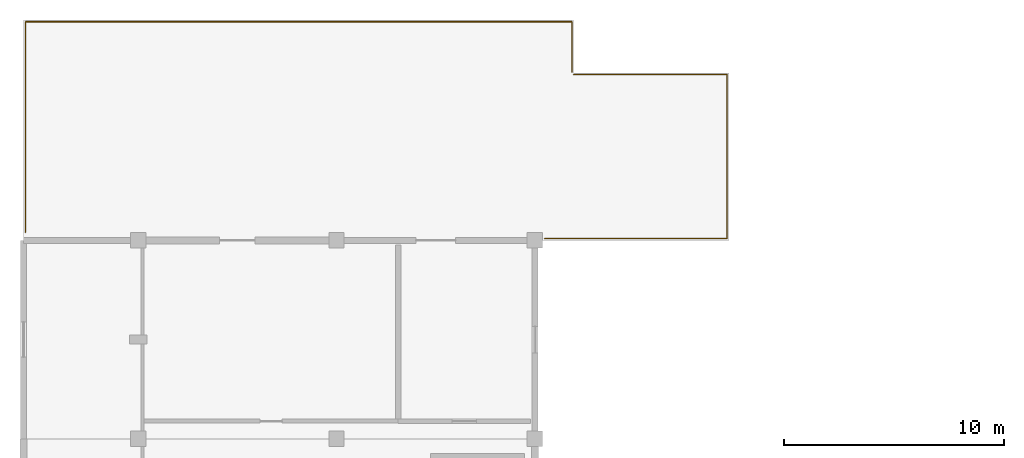
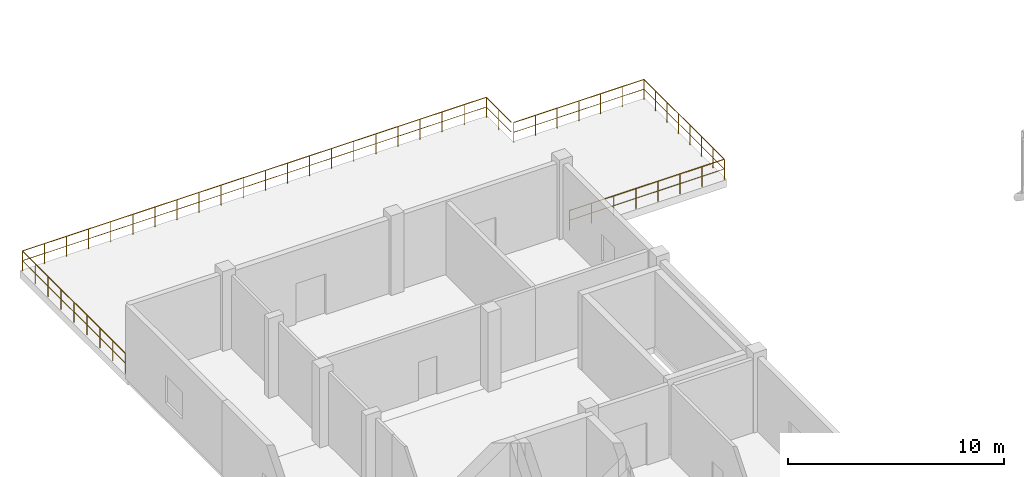
# One storey, part 29 of 29: 1 railing.
"""IFC4 building model written with IfcOpenShell, lengths in metres."""

from ifc_helpers import new_model, si_unit, direction, frame, origin, origin_2d, place, context, subcontext, project, spatial, circle, extrude, material, type_object, element, save


model = new_model("IFC4")

# Units and contexts
model_context = context("Model", 3, precision=1e-05, world=origin(), true_north=direction((0.0, 1.0)))
body_context = subcontext(model_context, "Body", "Model", "MODEL_VIEW")
ifc_project = project(units=[si_unit("LENGTHUNIT", "METRE"), si_unit("AREAUNIT", "SQUARE_METRE"), si_unit("VOLUMEUNIT", "CUBIC_METRE"), si_unit("PLANEANGLEUNIT", "RADIAN"), si_unit("MASSUNIT", "GRAM", prefix="KILO")], contexts=[model_context])

# Site, building, storey
site_placement = place(None, origin())
site = spatial("IfcSite", under=ifc_project, at=site_placement, CompositionType="ELEMENT")
building_placement = place(site_placement, origin())
building = spatial("IfcBuilding", under=site, at=building_placement, Name="Ventoquebrada Cableway Terminal", CompositionType="ELEMENT")
storey_placement = place(building_placement, frame((0.0, 0.0, 18.89990234375)))
storey = spatial("IfcBuildingStorey", under=building, at=storey_placement, Name="L04", CompositionType="ELEMENT", Elevation=18.89990234375)

# Railing
ifc_material = material(Name="Brushed stainless steel Grade 316", Category="steel")
railing_type = type_object("IfcRailingType", Name="RL-GD02", PredefinedType="BALUSTRADE", material=ifc_material)
railing_placement = place(storey_placement, frame((3.080078125, 104.360107421875, 0.0)))
element("IfcRailing", 1, at=railing_placement, inside=storey, type_object=railing_type, Name="Terrace balustrade GR-E139", PredefinedType="BALUSTRADE", context=body_context, shape_type="SweptSolid", body=[
    extrude(circle(Radius=0.02392578125, at=origin_2d()), frame((0.0, 0.001953125, 1.1259765625), z_axis=(0.0, 1.0, 0.0), x_axis=(-1.0, 0.0, 0.0)), (0.0, 0.0, 1.0), 9.555908203125),
    extrude(circle(Radius=0.01611328125, at=origin_2d()), frame((0.0, 0.001953125, 0.574951171875), z_axis=(0.0, 1.0, 0.0), x_axis=(-1.0, 0.0, 0.0)), (0.0, 0.0, 1.0), 9.555908203125),
    extrude(circle(Radius=0.02392578125, at=origin_2d()), frame((0.001953125, 9.559814453125, 1.1259765625), z_axis=(1.0, 0.0, 0.0), x_axis=(0.0, 1.0, 0.0)), (0.0, 0.0, 1.0), 24.7958984375),
    extrude(circle(Radius=0.01611328125, at=origin_2d()), frame((0.001953125, 9.559814453125, 0.574951171875), z_axis=(1.0, 0.0, 0.0), x_axis=(0.0, 1.0, 0.0)), (0.0, 0.0, 1.0), 24.7958984375),
    extrude(circle(Radius=0.02392578125, at=origin_2d()), frame((24.7998046875, 9.557861328125, 1.1259765625), z_axis=(0.0, -1.0, 0.0), x_axis=(1.0, 0.0, 0.0)), (0.0, 0.0, 1.0), 2.298095703125),
    extrude(circle(Radius=0.01611328125, at=origin_2d()), frame((24.7998046875, 9.557861328125, 0.574951171875), z_axis=(0.0, -1.0, 0.0), x_axis=(1.0, 0.0, 0.0)), (0.0, 0.0, 1.0), 2.298095703125),
    extrude(circle(Radius=0.02392578125, at=origin_2d()), frame((24.8818359375, 7.161865234375, 1.1259765625), z_axis=(0.999999960625, -0.000280622972, 0.0), x_axis=(0.000280622972, 0.999999960625, 0.0)), (0.0, 0.0, 1.0), 6.9560546875),
    extrude(circle(Radius=0.01611328125, at=origin_2d()), frame((24.8818359375, 7.161865234375, 0.574951171875), z_axis=(0.999999960625, -0.000280622972, 0.0), x_axis=(0.000280622972, 0.999999960625, 0.0)), (0.0, 0.0, 1.0), 6.9560546875),
    extrude(circle(Radius=0.02392578125, at=origin_2d()), frame((31.83984375, 7.157958984375, 1.1259765625), z_axis=(0.0, -1.0, 0.0), x_axis=(1.0, 0.0, 0.0)), (0.0, 0.0, 1.0), 7.43603515625),
    extrude(circle(Radius=0.01611328125, at=origin_2d()), frame((31.83984375, 7.157958984375, 0.574951171875), z_axis=(0.0, -1.0, 0.0), x_axis=(1.0, 0.0, 0.0)), (0.0, 0.0, 1.0), 7.43603515625),
    extrude(circle(Radius=0.02392578125, at=origin_2d()), frame((31.837890625, -0.280029296875, 1.1259765625), z_axis=(-1.0, 0.0, 0.0), x_axis=(0.0, -1.0, 0.0)), (0.0, 0.0, 1.0), 8.27294921875),
    extrude(circle(Radius=0.01611328125, at=origin_2d()), frame((31.837890625, -0.280029296875, 0.574951171875), z_axis=(-1.0, 0.0, 0.0), x_axis=(0.0, -1.0, 0.0)), (0.0, 0.0, 1.0), 8.27294921875),
    extrude(circle(Radius=0.02099609375, at=origin_2d()), origin(), (0.0, 0.0, 1.0), 1.101806640625),
    extrude(circle(Radius=0.02099609375, at=origin_2d()), frame((0.0, 1.195068359375, 0.0)), (0.0, 0.0, 1.0), 1.101806640625),
    extrude(circle(Radius=0.02099609375, at=origin_2d()), frame((0.0, 2.389892578125, 0.0)), (0.0, 0.0, 1.0), 1.101806640625),
    extrude(circle(Radius=0.02099609375, at=origin_2d()), frame((0.0, 3.5849609375, 0.0)), (0.0, 0.0, 1.0), 1.101806640625),
    extrude(circle(Radius=0.02099609375, at=origin_2d()), frame((0.0, 4.77978515625, 0.0)), (0.0, 0.0, 1.0), 1.101806640625),
    extrude(circle(Radius=0.02099609375, at=origin_2d()), frame((0.0, 5.974853515625, 0.0)), (0.0, 0.0, 1.0), 1.101806640625),
    extrude(circle(Radius=0.02099609375, at=origin_2d()), frame((0.0, 7.169921875, 0.0)), (0.0, 0.0, 1.0), 1.101806640625),
    extrude(circle(Radius=0.02099609375, at=origin_2d()), frame((0.0, 8.36474609375, 0.0)), (0.0, 0.0, 1.0), 1.101806640625),
    extrude(circle(Radius=0.02099609375, at=origin_2d()), frame((0.0, 9.559814453125, 0.0)), (0.0, 0.0, 1.0), 1.101806640625),
    extrude(circle(Radius=0.02099609375, at=origin_2d()), frame((1.180908203125, 9.559814453125, 0.0)), (0.0, 0.0, 1.0), 1.101806640625),
    extrude(circle(Radius=0.02099609375, at=origin_2d()), frame((2.36181640625, 9.559814453125, 0.0)), (0.0, 0.0, 1.0), 1.101806640625),
    extrude(circle(Radius=0.02099609375, at=origin_2d()), frame((3.542724609375, 9.559814453125, 0.0)), (0.0, 0.0, 1.0), 1.101806640625),
    extrude(circle(Radius=0.02099609375, at=origin_2d()), frame((4.723876953125, 9.559814453125, 0.0)), (0.0, 0.0, 1.0), 1.101806640625),
    extrude(circle(Radius=0.02099609375, at=origin_2d()), frame((5.90478515625, 9.559814453125, 0.0)), (0.0, 0.0, 1.0), 1.101806640625),
    extrude(circle(Radius=0.02099609375, at=origin_2d()), frame((7.085693359375, 9.559814453125, 0.0)), (0.0, 0.0, 1.0), 1.101806640625),
    extrude(circle(Radius=0.02099609375, at=origin_2d()), frame((8.2666015625, 9.559814453125, 0.0)), (0.0, 0.0, 1.0), 1.101806640625),
    extrude(circle(Radius=0.02099609375, at=origin_2d()), frame((9.447509765625, 9.559814453125, 0.0)), (0.0, 0.0, 1.0), 1.101806640625),
    extrude(circle(Radius=0.02099609375, at=origin_2d()), frame((10.62841796875, 9.559814453125, 0.0)), (0.0, 0.0, 1.0), 1.101806640625),
    extrude(circle(Radius=0.02099609375, at=origin_2d()), frame((11.809326171875, 9.559814453125, 0.0)), (0.0, 0.0, 1.0), 1.101806640625),
    extrude(circle(Radius=0.02099609375, at=origin_2d()), frame((12.990478515625, 9.559814453125, 0.0)), (0.0, 0.0, 1.0), 1.101806640625),
    extrude(circle(Radius=0.02099609375, at=origin_2d()), frame((14.17138671875, 9.559814453125, 0.0)), (0.0, 0.0, 1.0), 1.101806640625),
    extrude(circle(Radius=0.02099609375, at=origin_2d()), frame((15.352294921875, 9.559814453125, 0.0)), (0.0, 0.0, 1.0), 1.101806640625),
    extrude(circle(Radius=0.02099609375, at=origin_2d()), frame((16.533203125, 9.559814453125, 0.0)), (0.0, 0.0, 1.0), 1.101806640625),
    extrude(circle(Radius=0.02099609375, at=origin_2d()), frame((17.714111328125, 9.559814453125, 0.0)), (0.0, 0.0, 1.0), 1.101806640625),
    extrude(circle(Radius=0.02099609375, at=origin_2d()), frame((18.89501953125, 9.559814453125, 0.0)), (0.0, 0.0, 1.0), 1.101806640625),
    extrude(circle(Radius=0.02099609375, at=origin_2d()), frame((20.075927734375, 9.559814453125, 0.0)), (0.0, 0.0, 1.0), 1.101806640625),
    extrude(circle(Radius=0.02099609375, at=origin_2d()), frame((21.257080078125, 9.559814453125, 0.0)), (0.0, 0.0, 1.0), 1.101806640625),
    extrude(circle(Radius=0.02099609375, at=origin_2d()), frame((22.43798828125, 9.559814453125, 0.0)), (0.0, 0.0, 1.0), 1.101806640625),
    extrude(circle(Radius=0.02099609375, at=origin_2d()), frame((23.618896484375, 9.559814453125, 0.0)), (0.0, 0.0, 1.0), 1.101806640625),
    extrude(circle(Radius=0.02099609375, at=origin_2d()), frame((24.7998046875, 9.559814453125, 0.0)), (0.0, 0.0, 1.0), 1.101806640625),
    extrude(circle(Radius=0.02099609375, at=origin_2d()), frame((24.7998046875, 8.40869140625, 0.0)), (0.0, 0.0, 1.0), 1.101806640625),
    extrude(circle(Radius=0.02099609375, at=origin_2d()), frame((24.8798828125, 7.161865234375, 0.0)), (0.0, 0.0, 1.0), 1.101806640625),
    extrude(circle(Radius=0.02099609375, at=origin_2d()), frame((26.039794921875, 7.16162109375, 0.0)), (0.0, 0.0, 1.0), 1.101806640625),
    extrude(circle(Radius=0.02099609375, at=origin_2d()), frame((27.199951171875, 7.1611328125, 0.0)), (0.0, 0.0, 1.0), 1.101806640625),
    extrude(circle(Radius=0.02099609375, at=origin_2d()), frame((28.35986328125, 7.160888671875, 0.0)), (0.0, 0.0, 1.0), 1.101806640625),
    extrude(circle(Radius=0.02099609375, at=origin_2d()), frame((29.519775390625, 7.16064453125, 0.0)), (0.0, 0.0, 1.0), 1.101806640625),
    extrude(circle(Radius=0.02099609375, at=origin_2d()), frame((30.679931640625, 7.16015625, 0.0)), (0.0, 0.0, 1.0), 1.101806640625),
    extrude(circle(Radius=0.02099609375, at=origin_2d()), frame((31.83984375, 7.159912109375, 0.0)), (0.0, 0.0, 1.0), 1.101806640625),
    extrude(circle(Radius=0.02099609375, at=origin_2d()), frame((31.83984375, 6.09716796875, 0.0)), (0.0, 0.0, 1.0), 1.101806640625),
    extrude(circle(Radius=0.02099609375, at=origin_2d()), frame((31.83984375, 5.0341796875, 0.0)), (0.0, 0.0, 1.0), 1.101806640625),
    extrude(circle(Radius=0.02099609375, at=origin_2d()), frame((31.83984375, 3.971435546875, 0.0)), (0.0, 0.0, 1.0), 1.101806640625),
    extrude(circle(Radius=0.02099609375, at=origin_2d()), frame((31.83984375, 2.908447265625, 0.0)), (0.0, 0.0, 1.0), 1.101806640625),
    extrude(circle(Radius=0.02099609375, at=origin_2d()), frame((31.83984375, 1.845703125, 0.0)), (0.0, 0.0, 1.0), 1.101806640625),
    extrude(circle(Radius=0.02099609375, at=origin_2d()), frame((31.83984375, 0.78271484375, 0.0)), (0.0, 0.0, 1.0), 1.101806640625),
    extrude(circle(Radius=0.02099609375, at=origin_2d()), frame((31.83984375, -0.280029296875, 0.0)), (0.0, 0.0, 1.0), 1.101806640625),
    extrude(circle(Radius=0.02099609375, at=origin_2d()), frame((30.657470703125, -0.280029296875, 0.0)), (0.0, 0.0, 1.0), 1.101806640625),
    extrude(circle(Radius=0.02099609375, at=origin_2d()), frame((29.47509765625, -0.280029296875, 0.0)), (0.0, 0.0, 1.0), 1.101806640625),
    extrude(circle(Radius=0.02099609375, at=origin_2d()), frame((28.292724609375, -0.280029296875, 0.0)), (0.0, 0.0, 1.0), 1.101806640625),
    extrude(circle(Radius=0.02099609375, at=origin_2d()), frame((27.110107421875, -0.280029296875, 0.0)), (0.0, 0.0, 1.0), 1.101806640625),
    extrude(circle(Radius=0.02099609375, at=origin_2d()), frame((25.927734375, -0.280029296875, 0.0)), (0.0, 0.0, 1.0), 1.101806640625),
    extrude(circle(Radius=0.02099609375, at=origin_2d()), frame((24.745361328125, -0.280029296875, 0.0)), (0.0, 0.0, 1.0), 1.101806640625),
    extrude(circle(Radius=0.02099609375, at=origin_2d()), frame((23.56298828125, -0.280029296875, 0.0)), (0.0, 0.0, 1.0), 1.101806640625),
])

save(model, "model.ifc")
